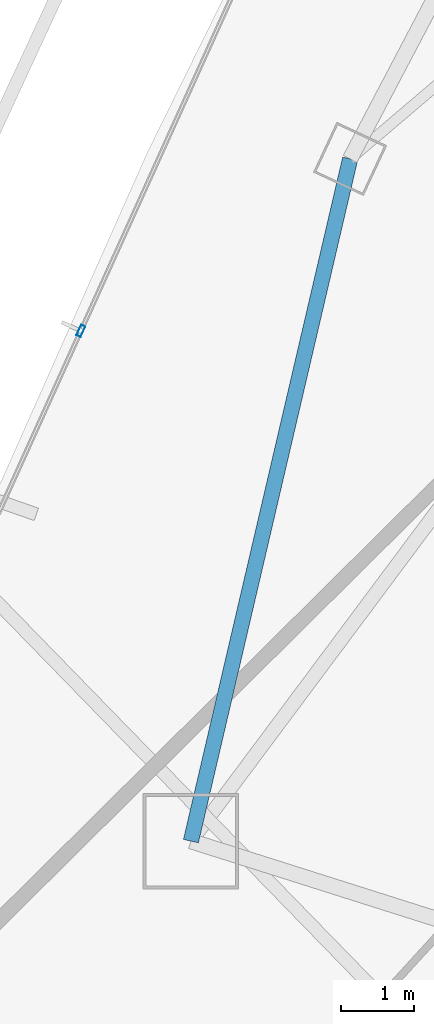
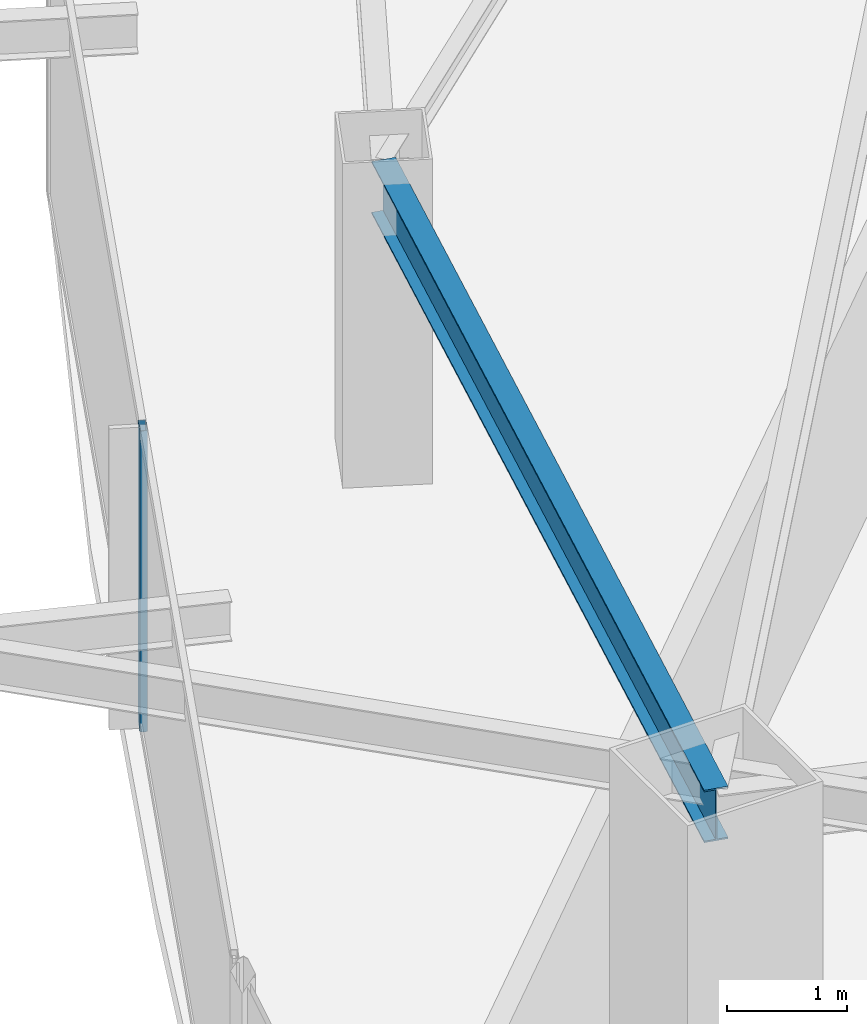
# One storey, part 6 of 34: 1 beam, 1 member, 1 element without a shape of its own.
"""IFC4 building model written with IfcOpenShell, lengths in metres."""

from ifc_helpers import new_model, si_unit, direction, frame, origin, origin_2d, place, context, subcontext, project, spatial, hollow_rectangle, i_section, extrude, material, layer, layer_set, material_profile, profile_set, type_object, element, aggregate, save


model = new_model("IFC4")

# Units and contexts
model_context = context("Model", 3, precision=1e-05, world=origin(), true_north=direction((0.0, 1.0)))
body_context = subcontext(model_context, "Body", "Model", "MODEL_VIEW")
ifc_project = project(units=[si_unit("LENGTHUNIT", "METRE"), si_unit("AREAUNIT", "SQUARE_METRE"), si_unit("VOLUMEUNIT", "CUBIC_METRE"), si_unit("PLANEANGLEUNIT", "RADIAN"), si_unit("MASSUNIT", "GRAM", prefix="KILO")], contexts=[model_context])

# Site, building, storey
site_placement = place(None, origin())
site = spatial("IfcSite", under=ifc_project, at=site_placement, CompositionType="ELEMENT")
building_placement = place(site_placement, origin())
building = spatial("IfcBuilding", under=site, at=building_placement, Name="Orvanel Arch Residences", CompositionType="ELEMENT")
storey_placement = place(building_placement, frame((0.0, 0.0, 203.0)))
storey = spatial("IfcBuildingStorey", under=building, at=storey_placement, Name="L57", CompositionType="ELEMENT", Elevation=203.0)

# Curtain wall, member
ifc_material_1 = material(Name="Bronze-anodised aluminium AA6063-T6", Category="aluminium")
ifc_layer = layer(ifc_material_1, 0.175048828125)
ifc_layer_set = layer_set([ifc_layer], Name="Bronze-anodised aluminium AA6063-T6")
curtain_wall_type = type_object("IfcCurtainWallType", Name="CW4-HI-SYS", PredefinedType="NOTDEFINED", material=ifc_layer_set)
curtain_wall_placement = place(storey_placement, origin())
curtain_wall = element("IfcCurtainWall", 1, at=curtain_wall_placement, inside=storey, type_object=curtain_wall_type, Name="L57 CW4-HI-SYS Unitised Curtain Wall", PredefinedType="NOTDEFINED")
ifc_material_profile_1 = material_profile(ifc_material_1, hollow_rectangle(XDim=0.06494140625, YDim=0.159912109375, WallThickness=0.00390625, at=origin_2d()), Name="ALU160x65x4")
ifc_profile_set_1 = profile_set([ifc_material_profile_1], Name="Bronze-anodised aluminium AA6063-T6")
member_type = type_object("IfcMemberType", Name="MUL-160x65", PredefinedType="MULLION", material=ifc_profile_set_1)
member_placement = place(storey_placement, frame((12.699951171875, 17.299560546875, 0.0), z_axis=(0.0, 0.0, 1.0), x_axis=(0.911289439148, -0.41176638777, 0.0)))
member = element("IfcMember", 2, at=member_placement, type_object=member_type, Name="CW-S4 mullion 2", PredefinedType="MULLION", context=body_context, shape_type="SweptSolid", body=[
    extrude(hollow_rectangle(XDim=0.06494140625, YDim=0.159912109375, WallThickness=0.00390625, at=origin_2d()), origin(), (0.0, 0.0, 1.0), 3.06005859375),
])
aggregate(curtain_wall, [member])

# Beam
ifc_material_2 = material(Name="Structural steel AS/NZS 3679.1 Grade 300 (300 MPa)", Category="steel")
ifc_material_profile_2 = material_profile(ifc_material_2, i_section(OverallWidth=0.208984375, OverallDepth=0.532958984375, WebThickness=0.01025390625, FlangeThickness=0.015625, at=origin_2d()), Name="530UB92.4")
ifc_profile_set_2 = profile_set([ifc_material_profile_2], Name="Structural steel AS/NZS 3679.1 Grade 300 (300 MPa)")
beam_type = type_object("IfcBeamType", Name="SP-530UB", PredefinedType="SPANDREL", material=ifc_profile_set_2)
beam_placement = place(storey_placement, frame((16.366943359375, 19.64208984375, 2.79296875), z_axis=(-0.227236087167, -0.973839699688, 0.0), x_axis=(0.973839699688, -0.227236087167, 0.0)))
element("IfcBeam", 3, at=beam_placement, inside=storey, type_object=beam_type, Name="L57 Perimeter Spandrel Beam 01", PredefinedType="SPANDREL", context=body_context, shape_type="SweptSolid", body=[
    extrude(i_section(OverallWidth=0.208984375, OverallDepth=0.532958984375, WebThickness=0.01025390625, FlangeThickness=0.015625, at=origin_2d()), origin(), (0.0, 0.0, 1.0), 9.54052734375),
])

save(model, "model.ifc")
